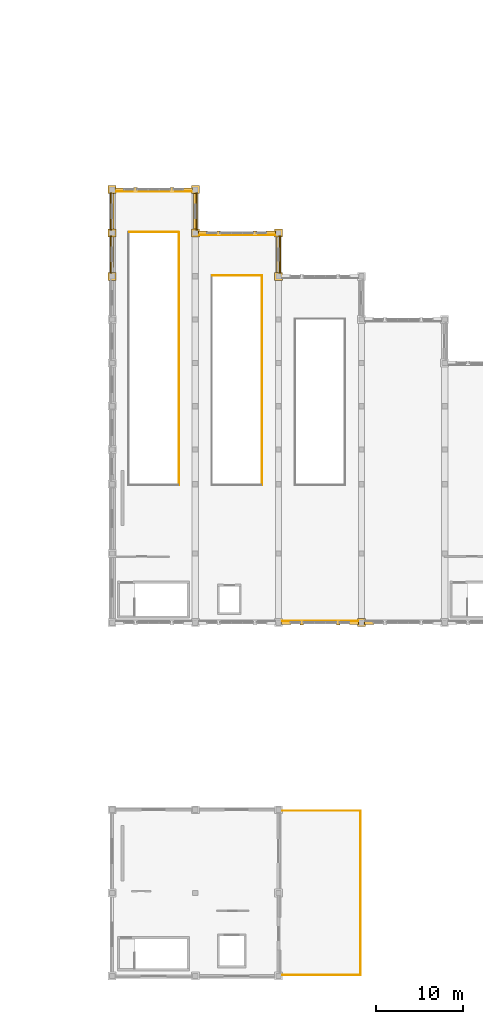
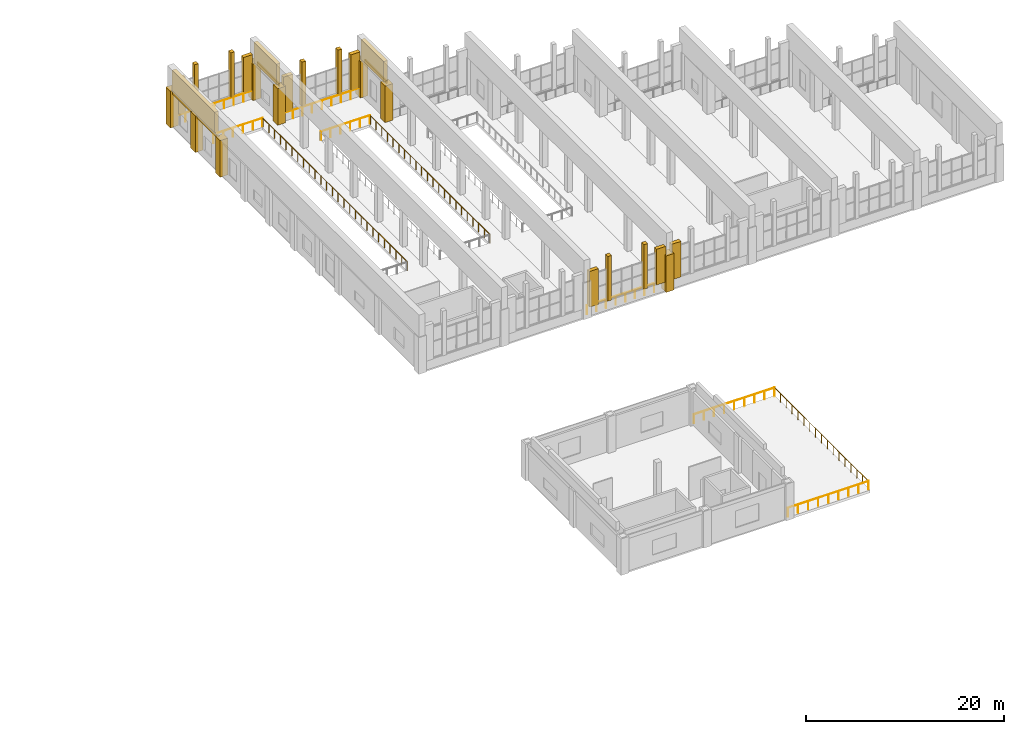
# One storey, part 44 of 46: 28 coverings, 10 railings.
"""IFC4 building model written with IfcOpenShell, lengths in metres."""

from ifc_helpers import new_model, si_unit, direction, frame, origin, origin_2d, place, context, subcontext, project, spatial, polyline, circle, outline, extrude, material, layer, layer_set, type_object, element, save


model = new_model("IFC4")

# Units and contexts
model_context = context("Model", 3, precision=1e-05, world=origin(), true_north=direction((0.0, 1.0)))
body_context = subcontext(model_context, "Body", "Model", "MODEL_VIEW")
ifc_project = project(units=[si_unit("LENGTHUNIT", "METRE"), si_unit("AREAUNIT", "SQUARE_METRE"), si_unit("VOLUMEUNIT", "CUBIC_METRE"), si_unit("PLANEANGLEUNIT", "RADIAN"), si_unit("MASSUNIT", "GRAM", prefix="KILO")], contexts=[model_context])

# Site, building, storey
site_placement = place(None, origin())
site = spatial("IfcSite", under=ifc_project, at=site_placement, CompositionType="ELEMENT")
building_placement = place(site_placement, origin())
building = spatial("IfcBuilding", under=site, at=building_placement, Name="Mavantir Sound Aquarium", CompositionType="ELEMENT")
storey_placement = place(building_placement, frame((0.0, 0.0, 15.300048828125)))
storey = spatial("IfcBuildingStorey", under=building, at=storey_placement, Name="L03", CompositionType="ELEMENT", Elevation=15.300048828125)

# Coverings
ifc_material_1 = material(Name="Honed Coral-Limestone & Glazed Terracotta Rainscreen Cladding", Category="masonry")
ifc_layer = layer(ifc_material_1, 0.06005859375, Name="Honed Coral-Limestone & Glazed Terracotta Rainscreen Cladding")
ifc_layer_set = layer_set([ifc_layer], Name="Honed Coral-Limestone & Glazed Terracotta Rainscreen Cladding")
covering_type = type_object("IfcCoveringType", Name="COV-CLAD-TC", PredefinedType="CLADDING", material=ifc_layer_set)
covering_1_placement = place(storey_placement, frame((0.0, 0.0, 4.10986328125)))
element("IfcCovering", 1, at=covering_1_placement, inside=storey, type_object=covering_type, Name="L03 Postmodern coral-limestone spandrel frieze 450", PredefinedType="CLADDING", context=body_context, shape_type="SweptSolid", body=[
    extrude(outline(polyline([(127.2900390625, 81.10791015625), (127.2900390625, 85.491943359375), (127.43994140625, 85.491943359375), (127.43994140625, 81.10791015625), (127.2900390625, 81.10791015625)])), origin(), (0.0, 0.0, 1.0), 0.39013671875),
])
covering_2_placement = place(storey_placement, frame((0.0, 0.0, 4.10986328125)))
element("IfcCovering", 2, at=covering_2_placement, inside=storey, type_object=covering_type, Name="L03 Postmodern coral-limestone spandrel frieze 451", PredefinedType="CLADDING", context=body_context, shape_type="SweptSolid", body=[
    extrude(outline(polyline([(117.68994140625, 86.10791015625), (117.68994140625, 90.491943359375), (117.840087890625, 90.491943359375), (117.840087890625, 86.10791015625), (117.68994140625, 86.10791015625)])), origin(), (0.0, 0.0, 1.0), 0.39013671875),
])
covering_3_placement = place(storey_placement, frame((0.0, 0.0, 4.10986328125)))
element("IfcCovering", 3, at=covering_3_placement, inside=storey, type_object=covering_type, Name="L03 Postmodern coral-limestone spandrel frieze 452", PredefinedType="CLADDING", context=body_context, shape_type="SweptSolid", body=[
    extrude(outline(polyline([(107.909912109375, 90.491943359375), (107.909912109375, 86.10791015625), (107.760009765625, 86.10791015625), (107.760009765625, 90.491943359375), (107.909912109375, 90.491943359375)])), origin(), (0.0, 0.0, 1.0), 0.39013671875),
])
covering_4_placement = place(storey_placement, frame((0.0, 0.0, 4.10986328125)))
element("IfcCovering", 4, at=covering_4_placement, inside=storey, type_object=covering_type, Name="L03 Postmodern coral-limestone spandrel frieze 453", PredefinedType="CLADDING", context=body_context, shape_type="SweptSolid", body=[
    extrude(outline(polyline([(107.909912109375, 85.491943359375), (107.909912109375, 81.10791015625), (107.760009765625, 81.10791015625), (107.760009765625, 85.491943359375), (107.909912109375, 85.491943359375)])), origin(), (0.0, 0.0, 1.0), 0.39013671875),
])
covering_5_placement = place(storey_placement, origin())
element("IfcCovering", 5, at=covering_5_placement, inside=storey, type_object=covering_type, Name="L03 Postmodern coral-limestone pilaster casing 244", PredefinedType="CLADDING", context=body_context, shape_type="SweptSolid", body=[
    extrude(outline(polyline([(107.5400390625, 80.340087890625), (108.4599609375, 80.340087890625), (108.4599609375, 81.260009765625), (107.5400390625, 81.260009765625), (107.5400390625, 80.340087890625)])), origin(), (0.0, 0.0, 1.0), 4.5),
])
covering_6_placement = place(storey_placement, origin())
element("IfcCovering", 6, at=covering_6_placement, inside=storey, type_object=covering_type, Name="L03 Postmodern coral-limestone pilaster casing 246", PredefinedType="CLADDING", context=body_context, shape_type="SweptSolid", body=[
    extrude(outline(polyline([(107.5400390625, 85.340087890625), (108.4599609375, 85.340087890625), (108.4599609375, 86.260009765625), (107.5400390625, 86.260009765625), (107.5400390625, 85.340087890625)])), origin(), (0.0, 0.0, 1.0), 4.5),
])
covering_7_placement = place(storey_placement, origin())
element("IfcCovering", 7, at=covering_7_placement, inside=storey, type_object=covering_type, Name="L03 Postmodern coral-limestone pilaster casing 248", PredefinedType="CLADDING", context=body_context, shape_type="SweptSolid", body=[
    extrude(outline(polyline([(107.5400390625, 90.340087890625), (108.4599609375, 90.340087890625), (108.4599609375, 91.260009765625), (107.5400390625, 91.260009765625), (107.5400390625, 90.340087890625)])), origin(), (0.0, 0.0, 1.0), 4.5),
])
covering_8_placement = place(storey_placement, origin())
element("IfcCovering", 8, at=covering_8_placement, inside=storey, type_object=covering_type, Name="L03 Postmodern coral-limestone pilaster casing 256", PredefinedType="CLADDING", context=body_context, shape_type="SweptSolid", body=[
    extrude(outline(polyline([(117.139892578125, 85.340087890625), (118.06005859375, 85.340087890625), (118.06005859375, 86.260009765625), (117.139892578125, 86.260009765625), (117.139892578125, 85.340087890625)])), origin(), (0.0, 0.0, 1.0), 4.5),
])
covering_9_placement = place(storey_placement, origin())
element("IfcCovering", 9, at=covering_9_placement, inside=storey, type_object=covering_type, Name="L03 Postmodern coral-limestone pilaster casing 260", PredefinedType="CLADDING", context=body_context, shape_type="SweptSolid", body=[
    extrude(outline(polyline([(117.139892578125, 90.340087890625), (118.06005859375, 90.340087890625), (118.06005859375, 91.260009765625), (117.139892578125, 91.260009765625), (117.139892578125, 90.340087890625)])), origin(), (0.0, 0.0, 1.0), 4.5),
])
covering_10_placement = place(storey_placement, origin())
element("IfcCovering", 10, at=covering_10_placement, inside=storey, type_object=covering_type, Name="L03 Postmodern coral-limestone pilaster casing 268", PredefinedType="CLADDING", context=body_context, shape_type="SweptSolid", body=[
    extrude(outline(polyline([(126.739990234375, 80.340087890625), (127.659912109375, 80.340087890625), (127.659912109375, 81.260009765625), (126.739990234375, 81.260009765625), (126.739990234375, 80.340087890625)])), origin(), (0.0, 0.0, 1.0), 4.5),
])
covering_11_placement = place(storey_placement, origin())
element("IfcCovering", 11, at=covering_11_placement, inside=storey, type_object=covering_type, Name="L03 Postmodern coral-limestone pilaster casing 272", PredefinedType="CLADDING", context=body_context, shape_type="SweptSolid", body=[
    extrude(outline(polyline([(126.739990234375, 85.340087890625), (127.659912109375, 85.340087890625), (127.659912109375, 86.260009765625), (126.739990234375, 86.260009765625), (126.739990234375, 85.340087890625)])), origin(), (0.0, 0.0, 1.0), 4.5),
])
covering_12_placement = place(storey_placement, origin())
element("IfcCovering", 12, at=covering_12_placement, inside=storey, type_object=covering_type, Name="L03 Postmodern coral-limestone pilaster casing 278", PredefinedType="CLADDING", context=body_context, shape_type="SweptSolid", body=[
    extrude(outline(polyline([(136.340087890625, 40.340087890625), (137.260009765625, 40.340087890625), (137.260009765625, 41.260009765625), (136.340087890625, 41.260009765625), (136.340087890625, 40.340087890625)])), origin(), (0.0, 0.0, 1.0), 4.5),
])
covering_13_placement = place(storey_placement, frame((0.0, 0.0, 4.5)))
element("IfcCovering", 13, at=covering_13_placement, inside=storey, type_object=covering_type, Name="V4 scalloped ridge coral-limestone frieze W.1", PredefinedType="CLADDING", context=body_context, shape_type="SweptSolid", body=[
    extrude(outline(polyline([(107.780029296875, 81.8466796875), (108.219970703125, 81.8466796875), (108.219970703125, 90.419921875), (107.780029296875, 90.419921875), (107.780029296875, 81.8466796875)])), origin(), (0.0, 0.0, 1.0), 2.5),
])
covering_14_placement = place(storey_placement, frame((0.0, 0.0, 4.5)))
element("IfcCovering", 14, at=covering_14_placement, inside=storey, type_object=covering_type, Name="V4 scalloped ridge coral-limestone frieze CHK1.1", PredefinedType="CLADDING", context=body_context, shape_type="SweptSolid", body=[
    extrude(outline(polyline([(117.3798828125, 86.030029296875), (117.820068359375, 86.030029296875), (117.820068359375, 90.570068359375), (117.3798828125, 90.570068359375), (117.3798828125, 86.030029296875)])), origin(), (0.0, 0.0, 1.0), 2.5),
])
covering_15_placement = place(storey_placement, frame((0.0, 0.0, 4.5)))
element("IfcCovering", 15, at=covering_15_placement, inside=storey, type_object=covering_type, Name="V4 scalloped ridge coral-limestone frieze CHK2.1", PredefinedType="CLADDING", context=body_context, shape_type="SweptSolid", body=[
    extrude(outline(polyline([(126.97998046875, 81.030029296875), (127.419921875, 81.030029296875), (127.419921875, 85.570068359375), (126.97998046875, 85.570068359375), (126.97998046875, 81.030029296875)])), origin(), (0.0, 0.0, 1.0), 2.5),
])
covering_16_placement = place(storey_placement, frame((0.0, 0.0, 1.119873046875)))
element("IfcCovering", 16, at=covering_16_placement, inside=storey, type_object=covering_type, Name="Scalloped bay 1 N Diocletian stone mullion ML", PredefinedType="CLADDING", context=body_context, shape_type="SweptSolid", body=[
    extrude(outline(polyline([(110.47998046875, 90.56005859375), (110.919921875, 90.56005859375), (110.919921875, 91.0400390625), (110.47998046875, 91.0400390625), (110.47998046875, 90.56005859375)])), origin(), (0.0, 0.0, 1.0), 5.49072265625),
])
covering_17_placement = place(storey_placement, frame((0.0, 0.0, 1.119873046875)))
element("IfcCovering", 17, at=covering_17_placement, inside=storey, type_object=covering_type, Name="Scalloped bay 1 N Diocletian stone mullion MR", PredefinedType="CLADDING", context=body_context, shape_type="SweptSolid", body=[
    extrude(outline(polyline([(114.679931640625, 90.56005859375), (115.1201171875, 90.56005859375), (115.1201171875, 91.0400390625), (114.679931640625, 91.0400390625), (114.679931640625, 90.56005859375)])), origin(), (0.0, 0.0, 1.0), 5.49072265625),
])
covering_18_placement = place(storey_placement, frame((0.0, 0.0, 1.119873046875)))
element("IfcCovering", 18, at=covering_18_placement, inside=storey, type_object=covering_type, Name="Scalloped bay 1 N Diocletian haunch spandrel HL", PredefinedType="CLADDING", context=body_context, shape_type="SweptSolid", body=[
    extrude(outline(polyline([(108.35009765625, 90.580078125), (109.419921875, 90.580078125), (109.419921875, 91.02001953125), (108.35009765625, 91.02001953125), (108.35009765625, 90.580078125)])), origin(), (0.0, 0.0, 1.0), 4.379638671875),
])
covering_19_placement = place(storey_placement, frame((0.0, 0.0, 1.119873046875)))
element("IfcCovering", 19, at=covering_19_placement, inside=storey, type_object=covering_type, Name="Scalloped bay 1 N Diocletian haunch spandrel HR", PredefinedType="CLADDING", context=body_context, shape_type="SweptSolid", body=[
    extrude(outline(polyline([(116.179931640625, 90.580078125), (117.25, 90.580078125), (117.25, 91.02001953125), (116.179931640625, 91.02001953125), (116.179931640625, 90.580078125)])), origin(), (0.0, 0.0, 1.0), 4.379638671875),
])
covering_20_placement = place(storey_placement, frame((0.0, 0.0, 1.119873046875)))
element("IfcCovering", 20, at=covering_20_placement, inside=storey, type_object=covering_type, Name="Scalloped bay 2 N Diocletian stone mullion ML", PredefinedType="CLADDING", context=body_context, shape_type="SweptSolid", body=[
    extrude(outline(polyline([(120.080078125, 85.56005859375), (120.52001953125, 85.56005859375), (120.52001953125, 86.0400390625), (120.080078125, 86.0400390625), (120.080078125, 85.56005859375)])), origin(), (0.0, 0.0, 1.0), 5.49072265625),
])
covering_21_placement = place(storey_placement, frame((0.0, 0.0, 1.119873046875)))
element("IfcCovering", 21, at=covering_21_placement, inside=storey, type_object=covering_type, Name="Scalloped bay 2 N Diocletian stone mullion MR", PredefinedType="CLADDING", context=body_context, shape_type="SweptSolid", body=[
    extrude(outline(polyline([(124.280029296875, 85.56005859375), (124.719970703125, 85.56005859375), (124.719970703125, 86.0400390625), (124.280029296875, 86.0400390625), (124.280029296875, 85.56005859375)])), origin(), (0.0, 0.0, 1.0), 5.49072265625),
])
covering_22_placement = place(storey_placement, frame((0.0, 0.0, 1.119873046875)))
element("IfcCovering", 22, at=covering_22_placement, inside=storey, type_object=covering_type, Name="Scalloped bay 2 N Diocletian haunch spandrel HL", PredefinedType="CLADDING", context=body_context, shape_type="SweptSolid", body=[
    extrude(outline(polyline([(117.949951171875, 85.580078125), (119.02001953125, 85.580078125), (119.02001953125, 86.02001953125), (117.949951171875, 86.02001953125), (117.949951171875, 85.580078125)])), origin(), (0.0, 0.0, 1.0), 4.379638671875),
])
covering_23_placement = place(storey_placement, frame((0.0, 0.0, 1.119873046875)))
element("IfcCovering", 23, at=covering_23_placement, inside=storey, type_object=covering_type, Name="Scalloped bay 2 N Diocletian haunch spandrel HR", PredefinedType="CLADDING", context=body_context, shape_type="SweptSolid", body=[
    extrude(outline(polyline([(125.780029296875, 85.580078125), (126.85009765625, 85.580078125), (126.85009765625, 86.02001953125), (125.780029296875, 86.02001953125), (125.780029296875, 85.580078125)])), origin(), (0.0, 0.0, 1.0), 4.379638671875),
])
covering_24_placement = place(storey_placement, frame((0.0, 0.0, 1.119873046875)))
element("IfcCovering", 24, at=covering_24_placement, inside=storey, type_object=covering_type, Name="Scalloped bay 3 S Diocletian stone mullion ML", PredefinedType="CLADDING", context=body_context, shape_type="SweptSolid", body=[
    extrude(outline(polyline([(129.679931640625, 40.56005859375), (130.1201171875, 40.56005859375), (130.1201171875, 41.0400390625), (129.679931640625, 41.0400390625), (129.679931640625, 40.56005859375)])), origin(), (0.0, 0.0, 1.0), 5.49072265625),
])
covering_25_placement = place(storey_placement, frame((0.0, 0.0, 1.119873046875)))
element("IfcCovering", 25, at=covering_25_placement, inside=storey, type_object=covering_type, Name="Scalloped bay 3 S Diocletian stone mullion MR", PredefinedType="CLADDING", context=body_context, shape_type="SweptSolid", body=[
    extrude(outline(polyline([(133.8798828125, 40.56005859375), (134.320068359375, 40.56005859375), (134.320068359375, 41.0400390625), (133.8798828125, 41.0400390625), (133.8798828125, 40.56005859375)])), origin(), (0.0, 0.0, 1.0), 5.49072265625),
])
covering_26_placement = place(storey_placement, frame((0.0, 0.0, 1.119873046875)))
element("IfcCovering", 26, at=covering_26_placement, inside=storey, type_object=covering_type, Name="Scalloped bay 3 S Diocletian haunch spandrel HL", PredefinedType="CLADDING", context=body_context, shape_type="SweptSolid", body=[
    extrude(outline(polyline([(127.550048828125, 40.580078125), (128.6201171875, 40.580078125), (128.6201171875, 41.02001953125), (127.550048828125, 41.02001953125), (127.550048828125, 40.580078125)])), origin(), (0.0, 0.0, 1.0), 4.379638671875),
])
covering_27_placement = place(storey_placement, frame((0.0, 0.0, 1.119873046875)))
element("IfcCovering", 27, at=covering_27_placement, inside=storey, type_object=covering_type, Name="Scalloped bay 3 S Diocletian haunch spandrel HR", PredefinedType="CLADDING", context=body_context, shape_type="SweptSolid", body=[
    extrude(outline(polyline([(135.3798828125, 40.580078125), (136.449951171875, 40.580078125), (136.449951171875, 41.02001953125), (135.3798828125, 41.02001953125), (135.3798828125, 40.580078125)])), origin(), (0.0, 0.0, 1.0), 4.379638671875),
])
covering_28_placement = place(storey_placement, frame((0.0, 0.0, 1.119873046875)))
element("IfcCovering", 28, at=covering_28_placement, inside=storey, type_object=covering_type, Name="Scalloped bay 4 S Diocletian haunch spandrel HL", PredefinedType="CLADDING", context=body_context, shape_type="SweptSolid", body=[
    extrude(outline(polyline([(137.14990234375, 40.580078125), (138.219970703125, 40.580078125), (138.219970703125, 41.02001953125), (137.14990234375, 41.02001953125), (137.14990234375, 40.580078125)])), origin(), (0.0, 0.0, 1.0), 4.379638671875),
])

# Railings
ifc_material_2 = material(Name="Stainless Steel 316 and Laminated Glass Guardrail", Category="steel")
railing_type = type_object("IfcRailingType", Name="RL-GUARD-110", PredefinedType="GUARDRAIL", material=ifc_material_2)
for number, where, name in (
    (29, (108.320068359375, 90.580078125, 0.0), "L03 scalloped bay 1 N lunette gallery guardrail"),
    (30, (117.919921875, 85.580078125, 0.0), "L03 scalloped bay 2 N lunette gallery guardrail"),
    (31, (127.52001953125, 41.02001953125, 0.0), "L03 scalloped bay 3 S lunette gallery guardrail"),
):
    element("IfcRailing", number, at=place(storey_placement, frame(where)), inside=storey, type_object=railing_type, Name=name, PredefinedType="GUARDRAIL", context=body_context, shape_type="SweptSolid", body=[
        extrude(circle(Radius=0.02392578125, at=origin_2d()), frame((0.0, 0.0, 1.076171875), z_axis=(1.0, 0.0, 0.0), x_axis=(0.0, 1.0, 0.0)), (0.0, 0.0, 1.0), 8.9599609375),
        extrude(circle(Radius=0.02099609375, at=origin_2d()), origin(), (0.0, 0.0, 1.0), 1.052001953125),
        extrude(circle(Radius=0.02099609375, at=origin_2d()), frame((1.1201171875, 0.0, 0.0)), (0.0, 0.0, 1.0), 1.052001953125),
        extrude(circle(Radius=0.02099609375, at=origin_2d()), frame((2.239990234375, 0.0, 0.0)), (0.0, 0.0, 1.0), 1.052001953125),
        extrude(circle(Radius=0.02099609375, at=origin_2d()), frame((3.35986328125, 0.0, 0.0)), (0.0, 0.0, 1.0), 1.052001953125),
        extrude(circle(Radius=0.02099609375, at=origin_2d()), frame((4.47998046875, 0.0, 0.0)), (0.0, 0.0, 1.0), 1.052001953125),
        extrude(circle(Radius=0.02099609375, at=origin_2d()), frame((5.60009765625, 0.0, 0.0)), (0.0, 0.0, 1.0), 1.052001953125),
        extrude(circle(Radius=0.02099609375, at=origin_2d()), frame((6.719970703125, 0.0, 0.0)), (0.0, 0.0, 1.0), 1.052001953125),
        extrude(circle(Radius=0.02099609375, at=origin_2d()), frame((7.83984375, 0.0, 0.0)), (0.0, 0.0, 1.0), 1.052001953125),
        extrude(circle(Radius=0.02099609375, at=origin_2d()), frame((8.9599609375, 0.0, 0.0)), (0.0, 0.0, 1.0), 1.052001953125),
    ])
railing_1_placement = place(storey_placement, frame((127.320068359375, 0.1201171875, 0.0)))
element("IfcRailing", 32, at=railing_1_placement, inside=storey, type_object=railing_type, Name="L03 terrace S guardrail 33", PredefinedType="GUARDRAIL", context=body_context, shape_type="SweptSolid", body=[
    extrude(circle(Radius=0.02392578125, at=origin_2d()), frame((0.0, 0.0, 1.076171875), z_axis=(1.0, 0.0, 0.0), x_axis=(0.0, 1.0, 0.0)), (0.0, 0.0, 1.0), 9.35986328125),
    extrude(circle(Radius=0.02099609375, at=origin_2d()), origin(), (0.0, 0.0, 1.0), 1.052001953125),
    extrude(circle(Radius=0.02099609375, at=origin_2d()), frame((1.169921875, 0.0, 0.0)), (0.0, 0.0, 1.0), 1.052001953125),
    extrude(circle(Radius=0.02099609375, at=origin_2d()), frame((2.33984375, 0.0, 0.0)), (0.0, 0.0, 1.0), 1.052001953125),
    extrude(circle(Radius=0.02099609375, at=origin_2d()), frame((3.510009765625, 0.0, 0.0)), (0.0, 0.0, 1.0), 1.052001953125),
    extrude(circle(Radius=0.02099609375, at=origin_2d()), frame((4.679931640625, 0.0, 0.0)), (0.0, 0.0, 1.0), 1.052001953125),
    extrude(circle(Radius=0.02099609375, at=origin_2d()), frame((5.849853515625, 0.0, 0.0)), (0.0, 0.0, 1.0), 1.052001953125),
    extrude(circle(Radius=0.02099609375, at=origin_2d()), frame((7.02001953125, 0.0, 0.0)), (0.0, 0.0, 1.0), 1.052001953125),
    extrude(circle(Radius=0.02099609375, at=origin_2d()), frame((8.18994140625, 0.0, 0.0)), (0.0, 0.0, 1.0), 1.052001953125),
    extrude(circle(Radius=0.02099609375, at=origin_2d()), frame((9.35986328125, 0.0, 0.0)), (0.0, 0.0, 1.0), 1.052001953125),
])
railing_2_placement = place(storey_placement, frame((136.679931640625, 0.1201171875, 0.0)))
element("IfcRailing", 33, at=railing_2_placement, inside=storey, type_object=railing_type, Name="L03 terrace E guardrail 34", PredefinedType="GUARDRAIL", context=body_context, shape_type="SweptSolid", body=[
    extrude(circle(Radius=0.02392578125, at=origin_2d()), frame((0.0, 0.0, 1.076171875), z_axis=(0.0, 1.0, 0.0), x_axis=(-1.0, 0.0, 0.0)), (0.0, 0.0, 1.0), 18.9599609375),
    extrude(circle(Radius=0.02099609375, at=origin_2d()), origin(), (0.0, 0.0, 1.0), 1.052001953125),
    extrude(circle(Radius=0.02099609375, at=origin_2d()), frame((0.0, 1.18505859375, 0.0)), (0.0, 0.0, 1.0), 1.052001953125),
    extrude(circle(Radius=0.02099609375, at=origin_2d()), frame((0.0, 2.3701171875, 0.0)), (0.0, 0.0, 1.0), 1.052001953125),
    extrude(circle(Radius=0.02099609375, at=origin_2d()), frame((0.0, 3.554931640625, 0.0)), (0.0, 0.0, 1.0), 1.052001953125),
    extrude(circle(Radius=0.02099609375, at=origin_2d()), frame((0.0, 4.739990234375, 0.0)), (0.0, 0.0, 1.0), 1.052001953125),
    extrude(circle(Radius=0.02099609375, at=origin_2d()), frame((0.0, 5.925048828125, 0.0)), (0.0, 0.0, 1.0), 1.052001953125),
    extrude(circle(Radius=0.02099609375, at=origin_2d()), frame((0.0, 7.10986328125, 0.0)), (0.0, 0.0, 1.0), 1.052001953125),
    extrude(circle(Radius=0.02099609375, at=origin_2d()), frame((0.0, 8.294921875, 0.0)), (0.0, 0.0, 1.0), 1.052001953125),
    extrude(circle(Radius=0.02099609375, at=origin_2d()), frame((0.0, 9.47998046875, 0.0)), (0.0, 0.0, 1.0), 1.052001953125),
    extrude(circle(Radius=0.02099609375, at=origin_2d()), frame((0.0, 10.6650390625, 0.0)), (0.0, 0.0, 1.0), 1.052001953125),
    extrude(circle(Radius=0.02099609375, at=origin_2d()), frame((0.0, 11.85009765625, 0.0)), (0.0, 0.0, 1.0), 1.052001953125),
    extrude(circle(Radius=0.02099609375, at=origin_2d()), frame((0.0, 13.034912109375, 0.0)), (0.0, 0.0, 1.0), 1.052001953125),
    extrude(circle(Radius=0.02099609375, at=origin_2d()), frame((0.0, 14.219970703125, 0.0)), (0.0, 0.0, 1.0), 1.052001953125),
    extrude(circle(Radius=0.02099609375, at=origin_2d()), frame((0.0, 15.405029296875, 0.0)), (0.0, 0.0, 1.0), 1.052001953125),
    extrude(circle(Radius=0.02099609375, at=origin_2d()), frame((0.0, 16.58984375, 0.0)), (0.0, 0.0, 1.0), 1.052001953125),
    extrude(circle(Radius=0.02099609375, at=origin_2d()), frame((0.0, 17.77490234375, 0.0)), (0.0, 0.0, 1.0), 1.052001953125),
    extrude(circle(Radius=0.02099609375, at=origin_2d()), frame((0.0, 18.9599609375, 0.0)), (0.0, 0.0, 1.0), 1.052001953125),
])
railing_3_placement = place(storey_placement, frame((127.320068359375, 19.080078125, 0.0)))
element("IfcRailing", 34, at=railing_3_placement, inside=storey, type_object=railing_type, Name="L03 terrace N guardrail 35", PredefinedType="GUARDRAIL", context=body_context, shape_type="SweptSolid", body=[
    extrude(circle(Radius=0.02392578125, at=origin_2d()), frame((0.0, 0.0, 1.076171875), z_axis=(1.0, 0.0, 0.0), x_axis=(0.0, 1.0, 0.0)), (0.0, 0.0, 1.0), 9.35986328125),
    extrude(circle(Radius=0.02099609375, at=origin_2d()), origin(), (0.0, 0.0, 1.0), 1.052001953125),
    extrude(circle(Radius=0.02099609375, at=origin_2d()), frame((1.169921875, 0.0, 0.0)), (0.0, 0.0, 1.0), 1.052001953125),
    extrude(circle(Radius=0.02099609375, at=origin_2d()), frame((2.33984375, 0.0, 0.0)), (0.0, 0.0, 1.0), 1.052001953125),
    extrude(circle(Radius=0.02099609375, at=origin_2d()), frame((3.510009765625, 0.0, 0.0)), (0.0, 0.0, 1.0), 1.052001953125),
    extrude(circle(Radius=0.02099609375, at=origin_2d()), frame((4.679931640625, 0.0, 0.0)), (0.0, 0.0, 1.0), 1.052001953125),
    extrude(circle(Radius=0.02099609375, at=origin_2d()), frame((5.849853515625, 0.0, 0.0)), (0.0, 0.0, 1.0), 1.052001953125),
    extrude(circle(Radius=0.02099609375, at=origin_2d()), frame((7.02001953125, 0.0, 0.0)), (0.0, 0.0, 1.0), 1.052001953125),
    extrude(circle(Radius=0.02099609375, at=origin_2d()), frame((8.18994140625, 0.0, 0.0)), (0.0, 0.0, 1.0), 1.052001953125),
    extrude(circle(Radius=0.02099609375, at=origin_2d()), frame((9.35986328125, 0.0, 0.0)), (0.0, 0.0, 1.0), 1.052001953125),
])
railing_4_placement = place(storey_placement, frame((115.699951171875, 56.699951171875, 0.0)))
element("IfcRailing", 35, at=railing_4_placement, inside=storey, type_object=railing_type, Name="L03 atrium void E guardrail 152", PredefinedType="GUARDRAIL", context=body_context, shape_type="SweptSolid", body=[
    extrude(circle(Radius=0.02392578125, at=origin_2d()), frame((0.0, 0.0, 1.076171875), z_axis=(0.0, 1.0, 0.0), x_axis=(-1.0, 0.0, 0.0)), (0.0, 0.0, 1.0), 29.1201171875),
    extrude(circle(Radius=0.02099609375, at=origin_2d()), origin(), (0.0, 0.0, 1.0), 1.052001953125),
    extrude(circle(Radius=0.02099609375, at=origin_2d()), frame((0.0, 1.164794921875, 0.0)), (0.0, 0.0, 1.0), 1.052001953125),
    extrude(circle(Radius=0.02099609375, at=origin_2d()), frame((0.0, 2.32958984375, 0.0)), (0.0, 0.0, 1.0), 1.052001953125),
    extrude(circle(Radius=0.02099609375, at=origin_2d()), frame((0.0, 3.494384765625, 0.0)), (0.0, 0.0, 1.0), 1.052001953125),
    extrude(circle(Radius=0.02099609375, at=origin_2d()), frame((0.0, 4.6591796875, 0.0)), (0.0, 0.0, 1.0), 1.052001953125),
    extrude(circle(Radius=0.02099609375, at=origin_2d()), frame((0.0, 5.823974609375, 0.0)), (0.0, 0.0, 1.0), 1.052001953125),
    extrude(circle(Radius=0.02099609375, at=origin_2d()), frame((0.0, 6.98876953125, 0.0)), (0.0, 0.0, 1.0), 1.052001953125),
    extrude(circle(Radius=0.02099609375, at=origin_2d()), frame((0.0, 8.153564453125, 0.0)), (0.0, 0.0, 1.0), 1.052001953125),
    extrude(circle(Radius=0.02099609375, at=origin_2d()), frame((0.0, 9.318359375, 0.0)), (0.0, 0.0, 1.0), 1.052001953125),
    extrude(circle(Radius=0.02099609375, at=origin_2d()), frame((0.0, 10.483154296875, 0.0)), (0.0, 0.0, 1.0), 1.052001953125),
    extrude(circle(Radius=0.02099609375, at=origin_2d()), frame((0.0, 11.64794921875, 0.0)), (0.0, 0.0, 1.0), 1.052001953125),
    extrude(circle(Radius=0.02099609375, at=origin_2d()), frame((0.0, 12.812744140625, 0.0)), (0.0, 0.0, 1.0), 1.052001953125),
    extrude(circle(Radius=0.02099609375, at=origin_2d()), frame((0.0, 13.9775390625, 0.0)), (0.0, 0.0, 1.0), 1.052001953125),
    extrude(circle(Radius=0.02099609375, at=origin_2d()), frame((0.0, 15.142578125, 0.0)), (0.0, 0.0, 1.0), 1.052001953125),
    extrude(circle(Radius=0.02099609375, at=origin_2d()), frame((0.0, 16.307373046875, 0.0)), (0.0, 0.0, 1.0), 1.052001953125),
    extrude(circle(Radius=0.02099609375, at=origin_2d()), frame((0.0, 17.47216796875, 0.0)), (0.0, 0.0, 1.0), 1.052001953125),
    extrude(circle(Radius=0.02099609375, at=origin_2d()), frame((0.0, 18.636962890625, 0.0)), (0.0, 0.0, 1.0), 1.052001953125),
    extrude(circle(Radius=0.02099609375, at=origin_2d()), frame((0.0, 19.8017578125, 0.0)), (0.0, 0.0, 1.0), 1.052001953125),
    extrude(circle(Radius=0.02099609375, at=origin_2d()), frame((0.0, 20.966552734375, 0.0)), (0.0, 0.0, 1.0), 1.052001953125),
    extrude(circle(Radius=0.02099609375, at=origin_2d()), frame((0.0, 22.13134765625, 0.0)), (0.0, 0.0, 1.0), 1.052001953125),
    extrude(circle(Radius=0.02099609375, at=origin_2d()), frame((0.0, 23.296142578125, 0.0)), (0.0, 0.0, 1.0), 1.052001953125),
    extrude(circle(Radius=0.02099609375, at=origin_2d()), frame((0.0, 24.4609375, 0.0)), (0.0, 0.0, 1.0), 1.052001953125),
    extrude(circle(Radius=0.02099609375, at=origin_2d()), frame((0.0, 25.625732421875, 0.0)), (0.0, 0.0, 1.0), 1.052001953125),
    extrude(circle(Radius=0.02099609375, at=origin_2d()), frame((0.0, 26.79052734375, 0.0)), (0.0, 0.0, 1.0), 1.052001953125),
    extrude(circle(Radius=0.02099609375, at=origin_2d()), frame((0.0, 27.955322265625, 0.0)), (0.0, 0.0, 1.0), 1.052001953125),
    extrude(circle(Radius=0.02099609375, at=origin_2d()), frame((0.0, 29.1201171875, 0.0)), (0.0, 0.0, 1.0), 1.052001953125),
])
railing_5_placement = place(storey_placement, frame((115.699951171875, 85.89990234375, 0.0)))
element("IfcRailing", 36, at=railing_5_placement, inside=storey, type_object=railing_type, Name="L03 atrium void N guardrail 153", PredefinedType="GUARDRAIL", context=body_context, shape_type="SweptSolid", body=[
    extrude(circle(Radius=0.02392578125, at=origin_2d()), frame((0.0, 0.0, 1.076171875), z_axis=(-1.0, 0.0, 0.0), x_axis=(0.0, -1.0, 0.0)), (0.0, 0.0, 1.0), 5.719970703125),
    extrude(circle(Radius=0.02099609375, at=origin_2d()), origin(), (0.0, 0.0, 1.0), 1.052001953125),
    extrude(circle(Radius=0.02099609375, at=origin_2d()), frame((-1.14404296875, 0.0, 0.0)), (0.0, 0.0, 1.0), 1.052001953125),
    extrude(circle(Radius=0.02099609375, at=origin_2d()), frame((-2.2880859375, 0.0, 0.0)), (0.0, 0.0, 1.0), 1.052001953125),
    extrude(circle(Radius=0.02099609375, at=origin_2d()), frame((-3.431884765625, 0.0, 0.0)), (0.0, 0.0, 1.0), 1.052001953125),
    extrude(circle(Radius=0.02099609375, at=origin_2d()), frame((-4.575927734375, 0.0, 0.0)), (0.0, 0.0, 1.0), 1.052001953125),
    extrude(circle(Radius=0.02099609375, at=origin_2d()), frame((-5.719970703125, 0.0, 0.0)), (0.0, 0.0, 1.0), 1.052001953125),
])
railing_6_placement = place(storey_placement, frame((125.300048828125, 56.699951171875, 0.0)))
element("IfcRailing", 37, at=railing_6_placement, inside=storey, type_object=railing_type, Name="L03 atrium void E guardrail 156", PredefinedType="GUARDRAIL", context=body_context, shape_type="SweptSolid", body=[
    extrude(circle(Radius=0.02392578125, at=origin_2d()), frame((0.0, 0.0, 1.076171875), z_axis=(0.0, 1.0, 0.0), x_axis=(-1.0, 0.0, 0.0)), (0.0, 0.0, 1.0), 24.1201171875),
    extrude(circle(Radius=0.02099609375, at=origin_2d()), origin(), (0.0, 0.0, 1.0), 1.052001953125),
    extrude(circle(Radius=0.02099609375, at=origin_2d()), frame((0.0, 1.148681640625, 0.0)), (0.0, 0.0, 1.0), 1.052001953125),
    extrude(circle(Radius=0.02099609375, at=origin_2d()), frame((0.0, 2.297119140625, 0.0)), (0.0, 0.0, 1.0), 1.052001953125),
    extrude(circle(Radius=0.02099609375, at=origin_2d()), frame((0.0, 3.44580078125, 0.0)), (0.0, 0.0, 1.0), 1.052001953125),
    extrude(circle(Radius=0.02099609375, at=origin_2d()), frame((0.0, 4.59423828125, 0.0)), (0.0, 0.0, 1.0), 1.052001953125),
    extrude(circle(Radius=0.02099609375, at=origin_2d()), frame((0.0, 5.742919921875, 0.0)), (0.0, 0.0, 1.0), 1.052001953125),
    extrude(circle(Radius=0.02099609375, at=origin_2d()), frame((0.0, 6.891357421875, 0.0)), (0.0, 0.0, 1.0), 1.052001953125),
    extrude(circle(Radius=0.02099609375, at=origin_2d()), frame((0.0, 8.0400390625, 0.0)), (0.0, 0.0, 1.0), 1.052001953125),
    extrude(circle(Radius=0.02099609375, at=origin_2d()), frame((0.0, 9.188720703125, 0.0)), (0.0, 0.0, 1.0), 1.052001953125),
    extrude(circle(Radius=0.02099609375, at=origin_2d()), frame((0.0, 10.337158203125, 0.0)), (0.0, 0.0, 1.0), 1.052001953125),
    extrude(circle(Radius=0.02099609375, at=origin_2d()), frame((0.0, 11.48583984375, 0.0)), (0.0, 0.0, 1.0), 1.052001953125),
    extrude(circle(Radius=0.02099609375, at=origin_2d()), frame((0.0, 12.63427734375, 0.0)), (0.0, 0.0, 1.0), 1.052001953125),
    extrude(circle(Radius=0.02099609375, at=origin_2d()), frame((0.0, 13.782958984375, 0.0)), (0.0, 0.0, 1.0), 1.052001953125),
    extrude(circle(Radius=0.02099609375, at=origin_2d()), frame((0.0, 14.931396484375, 0.0)), (0.0, 0.0, 1.0), 1.052001953125),
    extrude(circle(Radius=0.02099609375, at=origin_2d()), frame((0.0, 16.080078125, 0.0)), (0.0, 0.0, 1.0), 1.052001953125),
    extrude(circle(Radius=0.02099609375, at=origin_2d()), frame((0.0, 17.228759765625, 0.0)), (0.0, 0.0, 1.0), 1.052001953125),
    extrude(circle(Radius=0.02099609375, at=origin_2d()), frame((0.0, 18.377197265625, 0.0)), (0.0, 0.0, 1.0), 1.052001953125),
    extrude(circle(Radius=0.02099609375, at=origin_2d()), frame((0.0, 19.52587890625, 0.0)), (0.0, 0.0, 1.0), 1.052001953125),
    extrude(circle(Radius=0.02099609375, at=origin_2d()), frame((0.0, 20.67431640625, 0.0)), (0.0, 0.0, 1.0), 1.052001953125),
    extrude(circle(Radius=0.02099609375, at=origin_2d()), frame((0.0, 21.822998046875, 0.0)), (0.0, 0.0, 1.0), 1.052001953125),
    extrude(circle(Radius=0.02099609375, at=origin_2d()), frame((0.0, 22.971435546875, 0.0)), (0.0, 0.0, 1.0), 1.052001953125),
    extrude(circle(Radius=0.02099609375, at=origin_2d()), frame((0.0, 24.1201171875, 0.0)), (0.0, 0.0, 1.0), 1.052001953125),
])
railing_7_placement = place(storey_placement, frame((125.300048828125, 80.89990234375, 0.0)))
element("IfcRailing", 38, at=railing_7_placement, inside=storey, type_object=railing_type, Name="L03 atrium void N guardrail 157", PredefinedType="GUARDRAIL", context=body_context, shape_type="SweptSolid", body=[
    extrude(circle(Radius=0.02392578125, at=origin_2d()), frame((0.0, 0.0, 1.076171875), z_axis=(-1.0, 0.0, 0.0), x_axis=(0.0, -1.0, 0.0)), (0.0, 0.0, 1.0), 5.719970703125),
    extrude(circle(Radius=0.02099609375, at=origin_2d()), origin(), (0.0, 0.0, 1.0), 1.052001953125),
    extrude(circle(Radius=0.02099609375, at=origin_2d()), frame((-1.14404296875, 0.0, 0.0)), (0.0, 0.0, 1.0), 1.052001953125),
    extrude(circle(Radius=0.02099609375, at=origin_2d()), frame((-2.2880859375, 0.0, 0.0)), (0.0, 0.0, 1.0), 1.052001953125),
    extrude(circle(Radius=0.02099609375, at=origin_2d()), frame((-3.431884765625, 0.0, 0.0)), (0.0, 0.0, 1.0), 1.052001953125),
    extrude(circle(Radius=0.02099609375, at=origin_2d()), frame((-4.575927734375, 0.0, 0.0)), (0.0, 0.0, 1.0), 1.052001953125),
    extrude(circle(Radius=0.02099609375, at=origin_2d()), frame((-5.719970703125, 0.0, 0.0)), (0.0, 0.0, 1.0), 1.052001953125),
])

save(model, "model.ifc")
